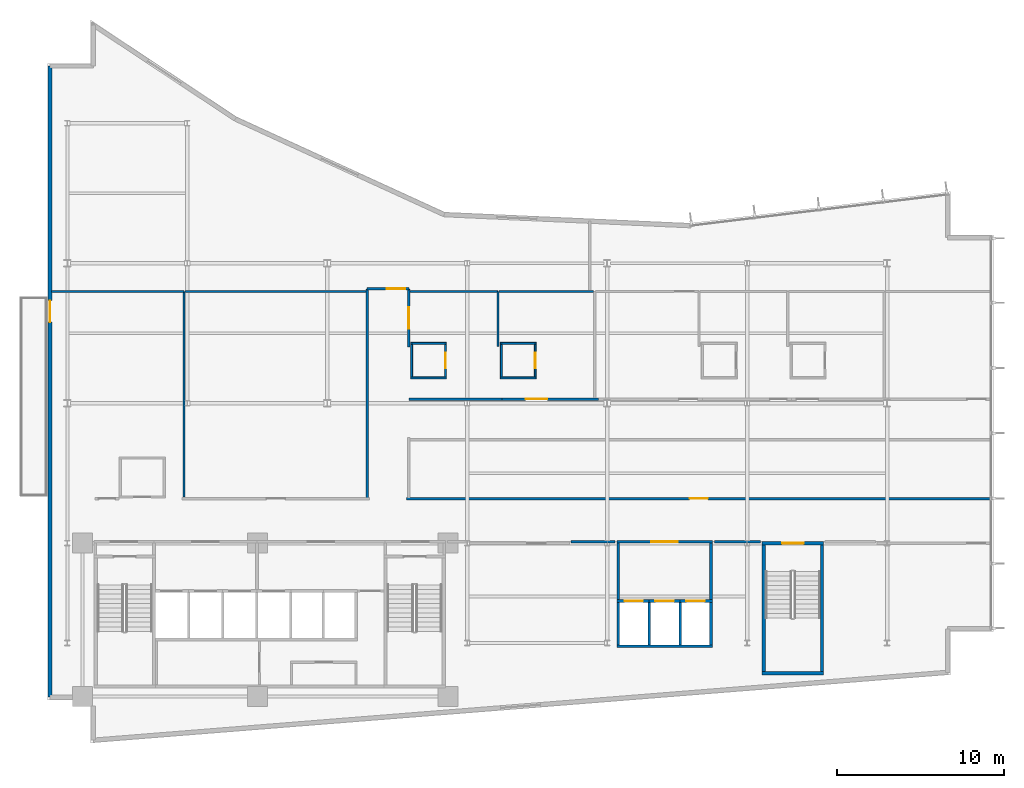
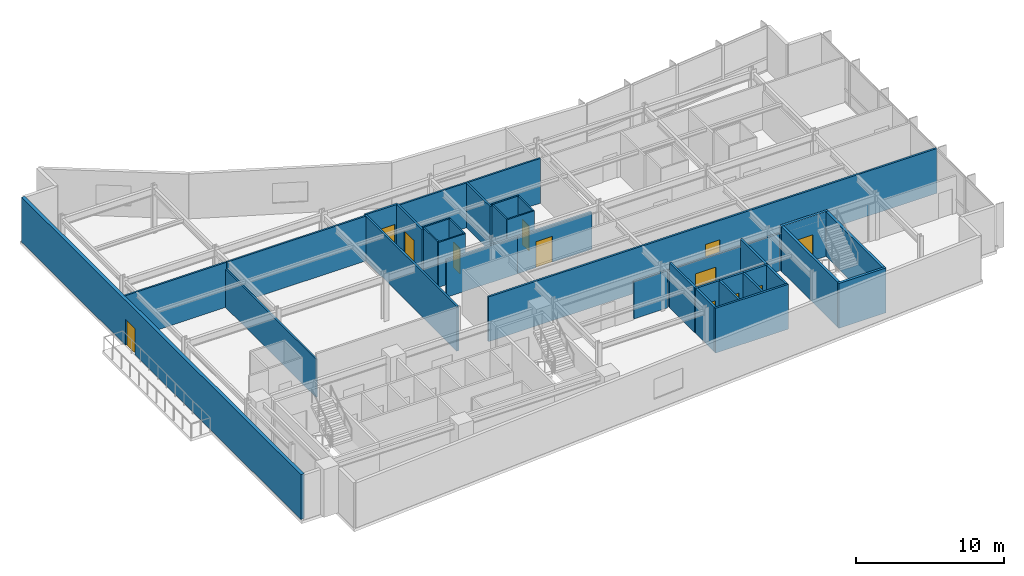
# One storey, part 11 of 17: 38 walls, 12 doors, 12 openings.
"""IFC4 building model written with IfcOpenShell, lengths in metres."""

from ifc_helpers import new_model, si_unit, direction, frame, frame_2d, origin, place, context, subcontext, project, spatial, rectangle, extrude, material, layer, layer_set, type_object, element, fill, save


model = new_model("IFC4")

# Units and contexts
model_context = context("Model", 3, precision=1e-05, world=origin(), true_north=direction((0.0, 1.0)))
body_context = subcontext(model_context, "Body", "Model", "MODEL_VIEW")
ifc_project = project(units=[si_unit("LENGTHUNIT", "METRE"), si_unit("AREAUNIT", "SQUARE_METRE"), si_unit("VOLUMEUNIT", "CUBIC_METRE"), si_unit("PLANEANGLEUNIT", "RADIAN"), si_unit("MASSUNIT", "GRAM", prefix="KILO")], contexts=[model_context])

# Site, building, storey
site_placement = place(None, origin())
site = spatial("IfcSite", under=ifc_project, at=site_placement, CompositionType="ELEMENT")
building_placement = place(site_placement, origin())
building = spatial("IfcBuilding", under=site, at=building_placement, Name="Varnakote Quay Hospital", CompositionType="ELEMENT")
storey_placement = place(building_placement, frame((0.0, 0.0, 146.800048828125)))
storey = spatial("IfcBuildingStorey", under=building, at=storey_placement, Name="L36", CompositionType="ELEMENT", Elevation=146.800048828125)

# Walls
ifc_material_1 = material(Name="Fire-rated acoustic gypsum stud wall", Category="gypsum")
ifc_layer_1 = layer(ifc_material_1, 0.159912109375)
ifc_layer_set_1 = layer_set([ifc_layer_1], Name="Fire-rated acoustic gypsum stud wall")
wall_type_1 = type_object("IfcWallType", Name="WL-COMP-160", PredefinedType="PARTITIONING", material=ifc_layer_set_1)
for number, where, z_axis, x_axis, name in (
    (1, (34.27001953125, 8.610107421875, 0.0), (0.0, 0.0, 1.0), (0.0, 1.0, 0.0), "L36 Mid-Rise Lift Lobby West Wall"),
    (2, (39.830078125, 8.610107421875, 0.0), (0.0, 0.0, 1.0), (0.0, 1.0, 0.0), "L36 Mid-Rise Lift Lobby East Wall"),
):
    element("IfcWall", number, at=place(storey_placement, frame(where, z_axis=z_axis, x_axis=x_axis)), inside=storey, type_object=wall_type_1, Name=name, PredefinedType="PARTITIONING", context=body_context, shape_type="SweptSolid", body=[
        extrude(rectangle(XDim=3.389892578125, YDim=0.159912109375, at=frame_2d((1.69482421875, 0.0))), origin(), (0.0, 0.0, 1.0), 3.7099609375),
    ])

# Wall, opening, door
wall_1_placement = place(storey_placement, frame((34.18994140625, 12.080078125, 0.0), z_axis=(0.0, 0.0, 1.0), x_axis=(1.0, 0.0, 0.0)))
wall_1 = element("IfcWall", 3, at=wall_1_placement, inside=storey, type_object=wall_type_1, Name="L36 Mid-Rise Lift Lobby North Wall", PredefinedType="PARTITIONING", context=body_context, shape_type="SweptSolid", body=[
    extrude(rectangle(XDim=5.719970703125, YDim=0.159912109375, at=frame_2d((2.85986328125, 0.0))), origin(), (0.0, 0.0, 1.0), 3.0830078125),
])
opening_1_placement = place(wall_1_placement, frame((2.06005859375, 0.0, 0.0)))
opening_1 = element("IfcOpeningElement", 4, at=opening_1_placement, cuts=wall_1, Name="Opening D-PML-L36", PredefinedType="OPENING", context=body_context, shape_type="SweptSolid", body=[
    extrude(rectangle(XDim=1.60009765625, YDim=2.050048828125, at=frame_2d((0.800048828125, 1.02490234375))), frame((0.0, 0.08984375, 0.0), z_axis=(0.0, -1.0, 0.0), x_axis=(1.0, 0.0, 0.0)), (0.0, 0.0, 1.0), 0.179931640625),
])
ifc_material_2 = material(Name="Fire-rated double smoke lobby door")
door_type_1 = type_object("IfcDoorType", Name="DR-LOBBY-FD60S-1600x2150", OperationType="NOTDEFINED", PredefinedType="DOOR", material=ifc_material_2)
door_1_placement = place(opening_1_placement, origin())
door_1 = element("IfcDoor", 5, at=door_1_placement, inside=storey, type_object=door_type_1, Name="L36 Mid-Rise Passenger Concourse Vestibule Door", OperationType="DOUBLE_DOOR_SINGLE_SWING", OverallHeight=2.050048828125, OverallWidth=1.60009765625, PredefinedType="DOOR", context=body_context, shape_type="SweptSolid", body=[
    extrude(rectangle(XDim=1.60009765625, YDim=2.050048828125, at=frame_2d((0.800048828125, 1.02490234375))), frame((0.0, 0.02490234375, 0.0), z_axis=(0.0, -1.0, 0.0), x_axis=(1.0, 0.0, 0.0)), (0.0, 0.0, 1.0), 0.050048828125),
])
fill(opening_1, door_1)

# Walls
wall_2_placement = place(storey_placement, frame((31.439208984375, 12.080078125, 0.0), z_axis=(0.0, 0.0, 1.0), x_axis=(1.0, 0.0, 0.0)))
element("IfcWall", 6, at=wall_2_placement, inside=storey, type_object=wall_type_1, Name="L36 Corridor South Gap Wall", PredefinedType="PARTITIONING", context=body_context, shape_type="SweptSolid", body=[
    extrude(rectangle(XDim=2.630859375, YDim=0.159912109375, at=frame_2d((1.3154296875, 0.0))), origin(), (0.0, 0.0, 1.0), 3.0830078125),
])
wall_3_placement = place(storey_placement, frame((40.030029296875, 12.080078125, 0.0), z_axis=(0.0, 0.0, 1.0), x_axis=(1.0, 0.0, 0.0)))
element("IfcWall", 7, at=wall_3_placement, inside=storey, type_object=wall_type_1, Name="L36 Corridor South Gap Wall", PredefinedType="PARTITIONING", context=body_context, shape_type="SweptSolid", body=[
    extrude(rectangle(XDim=2.78076171875, YDim=0.159912109375, at=frame_2d((1.390380859375, 0.0))), origin(), (0.0, 0.0, 1.0), 3.0830078125),
])
ifc_material_3 = material(Name="Moisture-resistant bathroom partition", Category="gypsum")
ifc_layer_2 = layer(ifc_material_3, 0.114990234375)
ifc_layer_set_2 = layer_set([ifc_layer_2], Name="Moisture-resistant bathroom partition")
wall_type_2 = type_object("IfcWallType", Name="WL-ENS-115", PredefinedType="PARTITIONING", material=ifc_layer_set_2)
for number, where, z_axis, x_axis, name in (
    (8, (21.804931640625, 21.922607421875, 0.0), (0.0, 0.0, 1.0), (1.0, 0.0, 0.0), "L36 Inpatient En-Suite Bathroom 01 S Wall"),
    (9, (21.804931640625, 23.987548828125, 0.0), (0.0, 0.0, 1.0), (1.0, 0.0, 0.0), "L36 Inpatient En-Suite Bathroom 01 N Wall"),
):
    element("IfcWall", number, at=place(storey_placement, frame(where, z_axis=z_axis, x_axis=x_axis)), inside=storey, type_object=wall_type_2, Name=name, PredefinedType="PARTITIONING", context=body_context, shape_type="SweptSolid", body=[
        extrude(rectangle(XDim=2.150146484375, YDim=0.114990234375, at=frame_2d((1.0751953125, 0.0))), origin(), (0.0, 0.0, 1.0), 3.7099609375),
    ])
wall_4_placement = place(storey_placement, frame((21.862548828125, 21.97998046875, 0.0), z_axis=(0.0, 0.0, 1.0), x_axis=(0.0, 1.0, 0.0)))
element("IfcWall", 10, at=wall_4_placement, inside=storey, type_object=wall_type_2, Name="L36 Inpatient En-Suite Bathroom 01 W Wall", PredefinedType="PARTITIONING", context=body_context, shape_type="SweptSolid", body=[
    extrude(rectangle(XDim=1.949951171875, YDim=0.114990234375, at=frame_2d((0.97509765625, 0.0))), origin(), (0.0, 0.0, 1.0), 3.7099609375),
])

# Wall, opening, door
wall_5_placement = place(storey_placement, frame((23.8974609375, 21.97998046875, 0.0), z_axis=(0.0, 0.0, 1.0), x_axis=(0.0, 1.0, 0.0)))
wall_5 = element("IfcWall", 11, at=wall_5_placement, inside=storey, type_object=wall_type_2, Name="L36 Inpatient En-Suite Bathroom 01 E Wall", PredefinedType="PARTITIONING", context=body_context, shape_type="SweptSolid", body=[
    extrude(rectangle(XDim=1.949951171875, YDim=0.114990234375, at=frame_2d((0.97509765625, 0.0))), origin(), (0.0, 0.0, 1.0), 3.7099609375),
])
opening_2_placement = place(wall_5_placement, frame((0.514892578125, 0.0, 0.0)))
opening_2 = element("IfcOpeningElement", 12, at=opening_2_placement, cuts=wall_5, Name="Opening D-L36-ENS01", PredefinedType="OPENING", context=body_context, shape_type="SweptSolid", body=[
    extrude(rectangle(XDim=0.919921875, YDim=2.10009765625, at=frame_2d((0.4599609375, 1.050048828125))), frame((0.0, 0.0673828125, 0.0), z_axis=(0.0, -1.0, 0.0), x_axis=(1.0, 0.0, 0.0)), (0.0, 0.0, 1.0), 0.135009765625),
])
ifc_material_4 = material(Name="Moisture-sealed en-suite bathroom door")
door_type_2 = type_object("IfcDoorType", Name="DR-ENS-920x2100", OperationType="NOTDEFINED", PredefinedType="DOOR", material=ifc_material_4)
door_2_placement = place(opening_2_placement, origin())
door_2 = element("IfcDoor", 13, at=door_2_placement, inside=storey, type_object=door_type_2, Name="L36 Inpatient En-Suite Bathroom 01 Door", OperationType="SINGLE_SWING_RIGHT", OverallHeight=2.10009765625, OverallWidth=0.919921875, PredefinedType="DOOR", context=body_context, shape_type="SweptSolid", body=[
    extrude(rectangle(XDim=0.919921875, YDim=2.10009765625, at=frame_2d((0.4599609375, 1.050048828125))), frame((0.0, 0.02490234375, 0.0), z_axis=(0.0, -1.0, 0.0), x_axis=(1.0, 0.0, 0.0)), (0.0, 0.0, 1.0), 0.050048828125),
])
fill(opening_2, door_2)

# Walls
for number, where, z_axis, x_axis, name in (
    (14, (27.195068359375, 21.922607421875, 0.0), (0.0, 0.0, 1.0), (1.0, 0.0, 0.0), "L36 Inpatient En-Suite Bathroom 02 S Wall"),
    (15, (27.195068359375, 23.987548828125, 0.0), (0.0, 0.0, 1.0), (1.0, 0.0, 0.0), "L36 Inpatient En-Suite Bathroom 02 N Wall"),
):
    element("IfcWall", number, at=place(storey_placement, frame(where, z_axis=z_axis, x_axis=x_axis)), inside=storey, type_object=wall_type_2, Name=name, PredefinedType="PARTITIONING", context=body_context, shape_type="SweptSolid", body=[
        extrude(rectangle(XDim=2.14990234375, YDim=0.114990234375, at=frame_2d((1.074951171875, 0.0))), origin(), (0.0, 0.0, 1.0), 3.7099609375),
    ])
wall_6_placement = place(storey_placement, frame((27.25244140625, 21.97998046875, 0.0), z_axis=(0.0, 0.0, 1.0), x_axis=(0.0, 1.0, 0.0)))
element("IfcWall", 16, at=wall_6_placement, inside=storey, type_object=wall_type_2, Name="L36 Inpatient En-Suite Bathroom 02 W Wall", PredefinedType="PARTITIONING", context=body_context, shape_type="SweptSolid", body=[
    extrude(rectangle(XDim=1.949951171875, YDim=0.114990234375, at=frame_2d((0.97509765625, 0.0))), origin(), (0.0, 0.0, 1.0), 3.7099609375),
])

# Wall, opening, door
wall_7_placement = place(storey_placement, frame((29.28759765625, 21.97998046875, 0.0), z_axis=(0.0, 0.0, 1.0), x_axis=(0.0, 1.0, 0.0)))
wall_7 = element("IfcWall", 17, at=wall_7_placement, inside=storey, type_object=wall_type_2, Name="L36 Inpatient En-Suite Bathroom 02 E Wall", PredefinedType="PARTITIONING", context=body_context, shape_type="SweptSolid", body=[
    extrude(rectangle(XDim=1.949951171875, YDim=0.114990234375, at=frame_2d((0.97509765625, 0.0))), origin(), (0.0, 0.0, 1.0), 3.7099609375),
])
opening_3_placement = place(wall_7_placement, frame((0.514892578125, 0.0, 0.0)))
opening_3 = element("IfcOpeningElement", 18, at=opening_3_placement, cuts=wall_7, Name="Opening D-L36-ENS02", PredefinedType="OPENING", context=body_context, shape_type="SweptSolid", body=[
    extrude(rectangle(XDim=0.919921875, YDim=2.10009765625, at=frame_2d((0.4599609375, 1.050048828125))), frame((0.0, 0.0673828125, 0.0), z_axis=(0.0, -1.0, 0.0), x_axis=(1.0, 0.0, 0.0)), (0.0, 0.0, 1.0), 0.135009765625),
])
door_3_placement = place(opening_3_placement, origin())
door_3 = element("IfcDoor", 19, at=door_3_placement, inside=storey, type_object=door_type_2, Name="L36 Inpatient En-Suite Bathroom 02 Door", OperationType="SINGLE_SWING_LEFT", OverallHeight=2.10009765625, OverallWidth=0.919921875, PredefinedType="DOOR", context=body_context, shape_type="SweptSolid", body=[
    extrude(rectangle(XDim=0.919921875, YDim=2.10009765625, at=frame_2d((0.4599609375, 1.050048828125))), frame((0.0, 0.02490234375, 0.0), z_axis=(0.0, -1.0, 0.0), x_axis=(1.0, 0.0, 0.0)), (0.0, 0.0, 1.0), 0.050048828125),
])
fill(opening_3, door_3)

ifc_material_5 = material(Name="Precast concrete N50 (f'c 50 MPa)", Category="concrete")
ifc_layer_3 = layer(ifc_material_5, 0.260009765625)
ifc_layer_set_3 = layer_set([ifc_layer_3], Name="Precast concrete N50 (f'c 50 MPa)")
wall_type_3 = type_object("IfcWallType", Name="WL-EXT-BRICK-260", PredefinedType="STANDARD", material=ifc_layer_set_3)
wall_8_placement = place(storey_placement, frame((0.159912109375, 40.639892578125, 0.0), z_axis=(0.0, 0.0, 1.0), x_axis=(0.0, -1.0, 0.0)))
wall_8 = element("IfcWall", 20, at=wall_8_placement, inside=storey, type_object=wall_type_3, Name="L36 Healing Terrace Portal Brick Wall", PredefinedType="STANDARD", context=body_context, shape_type="SweptSolid", body=[
    extrude(rectangle(XDim=37.8798828125, YDim=0.260009765625, at=frame_2d((18.93994140625, 0.0))), origin(), (0.0, 0.0, 1.0), 3.7099609375),
])
opening_4_placement = place(wall_8_placement, frame((14.0810546875, 0.0, 0.0)))
opening_4 = element("IfcOpeningElement", 21, at=opening_4_placement, cuts=wall_8, Name="Opening DT-L36", PredefinedType="OPENING", context=body_context, shape_type="SweptSolid", body=[
    extrude(rectangle(XDim=1.300048828125, YDim=2.14990234375, at=frame_2d((0.64990234375, 1.074951171875))), frame((0.0, 0.139892578125, 0.0), z_axis=(0.0, -1.0, 0.0), x_axis=(1.0, 0.0, 0.0)), (0.0, 0.0, 1.0), 0.280029296875),
])
ifc_material_6 = material(Name="Anodised aluminium glazed terrace door", Category="aluminium")
door_type_3 = type_object("IfcDoorType", Name="DR-EXT-TERR-1300x2150", OperationType="NOTDEFINED", PredefinedType="DOOR", material=ifc_material_6)
door_4_placement = place(opening_4_placement, origin())
door_4 = element("IfcDoor", 22, at=door_4_placement, inside=storey, type_object=door_type_3, Name="L36 Waterfront Healing Terrace Door", OperationType="SINGLE_SWING_LEFT", OverallHeight=2.14990234375, OverallWidth=1.300048828125, PredefinedType="DOOR", context=body_context, shape_type="SweptSolid", body=[
    extrude(rectangle(XDim=1.300048828125, YDim=2.14990234375, at=frame_2d((0.64990234375, 1.074951171875))), frame((0.0, 0.02490234375, 0.0), z_axis=(0.0, -1.0, 0.0), x_axis=(1.0, 0.0, 0.0)), (0.0, 0.0, 1.0), 0.050048828125),
])
fill(opening_4, door_4)

# Walls
ifc_material_7 = material(Name="Concrete N50 (f'c 50 MPa)", Category="concrete")
ifc_layer_4 = layer(ifc_material_7, 0.14990234375)
ifc_layer_set_4 = layer_set([ifc_layer_4], Name="Concrete N50 (f'c 50 MPa)")
wall_type_4 = type_object("IfcWallType", Name="WL-SHAFT-N50-150", PredefinedType="SHEAR", material=ifc_layer_set_4)
for number, where, z_axis, x_axis, name in (
    (23, (36.125, 5.89990234375, 0.0), (0.0, 0.0, 1.0), (0.0, 1.0, 0.0), "L36 LF-PM1 Hoistway Divider Wall"),
    (24, (37.97509765625, 5.89990234375, 0.0), (0.0, 0.0, 1.0), (0.0, 1.0, 0.0), "L36 LF-PM2 Hoistway Divider Wall"),
):
    element("IfcWall", number, at=place(storey_placement, frame(where, z_axis=z_axis, x_axis=x_axis)), inside=storey, type_object=wall_type_4, Name=name, PredefinedType="SHEAR", context=body_context, shape_type="SweptSolid", body=[
        extrude(rectangle(XDim=2.550048828125, YDim=0.14990234375, at=frame_2d((1.27490234375, 0.0))), origin(), (0.0, 0.0, 1.0), 3.7099609375),
    ])
ifc_material_8 = material(Name="Concrete N50 (f'c 50 MPa)", Category="concrete")
ifc_layer_5 = layer(ifc_material_8, 0.159912109375)
ifc_layer_set_5 = layer_set([ifc_layer_5], Name="Concrete N50 (f'c 50 MPa)")
wall_type_5 = type_object("IfcWallType", Name="WL-SHAFT-N50-160", PredefinedType="SHEAR", material=ifc_layer_set_5)
wall_9_placement = place(storey_placement, frame((34.18994140625, 5.820068359375, 0.0), z_axis=(0.0, 0.0, 1.0), x_axis=(1.0, 0.0, 0.0)))
element("IfcWall", 25, at=wall_9_placement, inside=storey, type_object=wall_type_5, Name="L36 MID Lift Bank Back Shear Wall", PredefinedType="SHEAR", context=body_context, shape_type="SweptSolid", body=[
    extrude(rectangle(XDim=5.719970703125, YDim=0.159912109375, at=frame_2d((2.85986328125, 0.0))), origin(), (0.0, 0.0, 1.0), 3.7099609375),
])
for number, where, z_axis, x_axis, name in (
    (26, (34.27001953125, 5.89990234375, 0.0), (0.0, 0.0, 1.0), (0.0, 1.0, 0.0), "L36 MID Lift Bank West Shear Wall"),
    (27, (39.830078125, 5.89990234375, 0.0), (0.0, 0.0, 1.0), (0.0, 1.0, 0.0), "L36 MID Lift Bank East Shear Wall"),
):
    element("IfcWall", number, at=place(storey_placement, frame(where, z_axis=z_axis, x_axis=x_axis)), inside=storey, type_object=wall_type_5, Name=name, PredefinedType="SHEAR", context=body_context, shape_type="SweptSolid", body=[
        extrude(rectangle(XDim=2.550048828125, YDim=0.159912109375, at=frame_2d((1.27490234375, 0.0))), origin(), (0.0, 0.0, 1.0), 3.7099609375),
    ])

# Wall, opening, door
wall_10_placement = place(storey_placement, frame((34.18994140625, 8.530029296875, 0.0), z_axis=(0.0, 0.0, 1.0), x_axis=(1.0, 0.0, 0.0)))
wall_10 = element("IfcWall", 28, at=wall_10_placement, inside=storey, type_object=wall_type_5, Name="L36 LF-PM1 Hoistway Front Wall", PredefinedType="SHEAR", context=body_context, shape_type="SweptSolid", body=[
    extrude(rectangle(XDim=1.93505859375, YDim=0.159912109375, at=frame_2d((0.967529296875, 0.0))), origin(), (0.0, 0.0, 1.0), 3.7099609375),
])
opening_5_placement = place(wall_10_placement, frame((0.4599609375, 0.0, 0.0)))
opening_5 = element("IfcOpeningElement", 29, at=opening_5_placement, cuts=wall_10, Name="Opening LD-PM1-L36", PredefinedType="OPENING", context=body_context, shape_type="SweptSolid", body=[
    extrude(rectangle(XDim=1.10009765625, YDim=2.14990234375, at=frame_2d((0.550048828125, 1.074951171875))), frame((0.0, 0.08984375, 0.0), z_axis=(0.0, -1.0, 0.0), x_axis=(1.0, 0.0, 0.0)), (0.0, 0.0, 1.0), 0.179931640625),
])
ifc_material_9 = material(Name="Brushed bronze lift landing sliding door")
door_type_4 = type_object("IfcDoorType", Name="DR-LIFT-LD-1100x2150", OperationType="NOTDEFINED", PredefinedType="DOOR", material=ifc_material_9)
door_5_placement = place(opening_5_placement, origin())
door_5 = element("IfcDoor", 30, at=door_5_placement, inside=storey, type_object=door_type_4, Name="L36 LF-PM1 Lift Landing Sliding Door", OperationType="SLIDING_TO_LEFT", OverallHeight=2.14990234375, OverallWidth=1.10009765625, PredefinedType="DOOR", context=body_context, shape_type="SweptSolid", body=[
    extrude(rectangle(XDim=1.10009765625, YDim=2.14990234375, at=frame_2d((0.550048828125, 1.074951171875))), frame((0.0, 0.02490234375, 0.0), z_axis=(0.0, -1.0, 0.0), x_axis=(1.0, 0.0, 0.0)), (0.0, 0.0, 1.0), 0.050048828125),
])
fill(opening_5, door_5)

wall_11_placement = place(storey_placement, frame((36.125, 8.530029296875, 0.0), z_axis=(0.0, 0.0, 1.0), x_axis=(1.0, 0.0, 0.0)))
wall_11 = element("IfcWall", 31, at=wall_11_placement, inside=storey, type_object=wall_type_5, Name="L36 LF-PM2 Hoistway Front Wall", PredefinedType="SHEAR", context=body_context, shape_type="SweptSolid", body=[
    extrude(rectangle(XDim=1.85009765625, YDim=0.159912109375, at=frame_2d((0.925048828125, 0.0))), origin(), (0.0, 0.0, 1.0), 3.7099609375),
])
opening_6_placement = place(wall_11_placement, frame((0.375, 0.0, 0.0)))
opening_6 = element("IfcOpeningElement", 32, at=opening_6_placement, cuts=wall_11, Name="Opening LD-PM2-L36", PredefinedType="OPENING", context=body_context, shape_type="SweptSolid", body=[
    extrude(rectangle(XDim=1.10009765625, YDim=2.14990234375, at=frame_2d((0.550048828125, 1.074951171875))), frame((0.0, 0.08984375, 0.0), z_axis=(0.0, -1.0, 0.0), x_axis=(1.0, 0.0, 0.0)), (0.0, 0.0, 1.0), 0.179931640625),
])
door_6_placement = place(opening_6_placement, origin())
door_6 = element("IfcDoor", 33, at=door_6_placement, inside=storey, type_object=door_type_4, Name="L36 LF-PM2 Lift Landing Sliding Door", OperationType="SLIDING_TO_LEFT", OverallHeight=2.14990234375, OverallWidth=1.10009765625, PredefinedType="DOOR", context=body_context, shape_type="SweptSolid", body=[
    extrude(rectangle(XDim=1.10009765625, YDim=2.14990234375, at=frame_2d((0.550048828125, 1.074951171875))), frame((0.0, 0.02490234375, 0.0), z_axis=(0.0, -1.0, 0.0), x_axis=(1.0, 0.0, 0.0)), (0.0, 0.0, 1.0), 0.050048828125),
])
fill(opening_6, door_6)

wall_12_placement = place(storey_placement, frame((37.97509765625, 8.530029296875, 0.0), z_axis=(0.0, 0.0, 1.0), x_axis=(1.0, 0.0, 0.0)))
wall_12 = element("IfcWall", 34, at=wall_12_placement, inside=storey, type_object=wall_type_5, Name="L36 LF-PM3 Hoistway Front Wall", PredefinedType="SHEAR", context=body_context, shape_type="SweptSolid", body=[
    extrude(rectangle(XDim=1.934814453125, YDim=0.159912109375, at=frame_2d((0.96728515625, 0.0))), origin(), (0.0, 0.0, 1.0), 3.7099609375),
])
opening_7_placement = place(wall_12_placement, frame((0.375, 0.0, 0.0)))
opening_7 = element("IfcOpeningElement", 35, at=opening_7_placement, cuts=wall_12, Name="Opening LD-PM3-L36", PredefinedType="OPENING", context=body_context, shape_type="SweptSolid", body=[
    extrude(rectangle(XDim=1.10009765625, YDim=2.14990234375, at=frame_2d((0.550048828125, 1.074951171875))), frame((0.0, 0.08984375, 0.0), z_axis=(0.0, -1.0, 0.0), x_axis=(1.0, 0.0, 0.0)), (0.0, 0.0, 1.0), 0.179931640625),
])
door_7_placement = place(opening_7_placement, origin())
door_7 = element("IfcDoor", 36, at=door_7_placement, inside=storey, type_object=door_type_4, Name="L36 LF-PM3 Lift Landing Sliding Door", OperationType="SLIDING_TO_LEFT", OverallHeight=2.14990234375, OverallWidth=1.10009765625, PredefinedType="DOOR", context=body_context, shape_type="SweptSolid", body=[
    extrude(rectangle(XDim=1.10009765625, YDim=2.14990234375, at=frame_2d((0.550048828125, 1.074951171875))), frame((0.0, 0.02490234375, 0.0), z_axis=(0.0, -1.0, 0.0), x_axis=(1.0, 0.0, 0.0)), (0.0, 0.0, 1.0), 0.050048828125),
])
fill(opening_7, door_7)

# Walls
ifc_material_10 = material(Name="Concrete N50 (f'c 50 MPa)", Category="concrete")
ifc_layer_6 = layer(ifc_material_10, 0.199951171875)
ifc_layer_set_6 = layer_set([ifc_layer_6], Name="Concrete N50 (f'c 50 MPa)")
wall_type_6 = type_object("IfcWallType", Name="WL-SHAFT-N50-200", PredefinedType="SHEAR", material=ifc_layer_set_6)
wall_13_placement = place(storey_placement, frame((42.89990234375, 4.199951171875, 0.0), z_axis=(0.0, 0.0, 1.0), x_axis=(1.0, 0.0, 0.0)))
element("IfcWall", 37, at=wall_13_placement, inside=storey, type_object=wall_type_6, Name="L36 Stair ST3 South Shaft Wall", PredefinedType="SHEAR", context=body_context, shape_type="SweptSolid", body=[
    extrude(rectangle(XDim=3.7001953125, YDim=0.199951171875, at=frame_2d((1.85009765625, 0.0))), origin(), (0.0, 0.0, 1.0), 3.7099609375),
])
for number, where, z_axis, x_axis, name in (
    (38, (43.0, 4.300048828125, 0.0), (0.0, 0.0, 1.0), (0.0, 1.0, 0.0), "L36 Stair ST3 West Shaft Wall"),
    (39, (46.5, 4.300048828125, 0.0), (0.0, 0.0, 1.0), (0.0, 1.0, 0.0), "L36 Stair ST3 East Shaft Wall"),
):
    element("IfcWall", number, at=place(storey_placement, frame(where, z_axis=z_axis, x_axis=x_axis)), inside=storey, type_object=wall_type_6, Name=name, PredefinedType="SHEAR", context=body_context, shape_type="SweptSolid", body=[
        extrude(rectangle(XDim=7.599853515625, YDim=0.199951171875, at=frame_2d((3.7998046875, 0.0))), origin(), (0.0, 0.0, 1.0), 3.7099609375),
    ])

# Wall, opening, door
wall_14_placement = place(storey_placement, frame((42.89990234375, 12.0, 0.0), z_axis=(0.0, 0.0, 1.0), x_axis=(1.0, 0.0, 0.0)))
wall_14 = element("IfcWall", 40, at=wall_14_placement, inside=storey, type_object=wall_type_6, Name="L36 Stair ST3 Exit Wall", PredefinedType="SHEAR", context=body_context, shape_type="SweptSolid", body=[
    extrude(rectangle(XDim=3.7001953125, YDim=0.199951171875, at=frame_2d((1.85009765625, 0.0))), origin(), (0.0, 0.0, 1.0), 3.7099609375),
])
opening_8_placement = place(wall_14_placement, frame((1.199951171875, 0.0, 0.0)))
opening_8 = element("IfcOpeningElement", 41, at=opening_8_placement, cuts=wall_14, Name="Opening D-ST3-L36", PredefinedType="OPENING", context=body_context, shape_type="SweptSolid", body=[
    extrude(rectangle(XDim=1.300048828125, YDim=2.14990234375, at=frame_2d((0.64990234375, 1.074951171875))), frame((0.0, 0.10986328125, 0.0), z_axis=(0.0, -1.0, 0.0), x_axis=(1.0, 0.0, 0.0)), (0.0, 0.0, 1.0), 0.219970703125),
])
ifc_material_11 = material(Name="Fire-rated ceramic-glazed timber exit door", Category="wood")
door_type_5 = type_object("IfcDoorType", Name="DR-STAIR-FD60S-1300x2150", OperationType="NOTDEFINED", PredefinedType="DOOR", material=ifc_material_11)
door_8_placement = place(opening_8_placement, origin())
door_8 = element("IfcDoor", 42, at=door_8_placement, inside=storey, type_object=door_type_5, Name="L36 Stair ST3 Fire Exit Door", OperationType="SINGLE_SWING_LEFT", OverallHeight=2.14990234375, OverallWidth=1.300048828125, PredefinedType="DOOR", context=body_context, shape_type="SweptSolid", body=[
    extrude(rectangle(XDim=1.300048828125, YDim=2.14990234375, at=frame_2d((0.64990234375, 1.074951171875))), frame((0.0, 0.02490234375, 0.0), z_axis=(0.0, -1.0, 0.0), x_axis=(1.0, 0.0, 0.0)), (0.0, 0.0, 1.0), 0.050048828125),
])
fill(opening_8, door_8)

# Walls
ifc_material_12 = material(Name="Smoke-proof clinical partition", Category="gypsum")
ifc_layer_7 = layer(ifc_material_12, 0.135009765625)
ifc_layer_set_7 = layer_set([ifc_layer_7], Name="Smoke-proof clinical partition")
wall_type_7 = type_object("IfcWallType", Name="WL-SMOKE-135", PredefinedType="PARTITIONING", material=ifc_layer_set_7)
wall_15_placement = place(storey_placement, frame((8.199951171875, 14.760009765625, 0.0), z_axis=(0.0, 0.0, 1.0), x_axis=(0.0, 1.0, 0.0)))
element("IfcWall", 43, at=wall_15_placement, inside=storey, type_object=wall_type_7, Name="L36 Clinical Interior Partition", PredefinedType="PARTITIONING", context=body_context, shape_type="SweptSolid", body=[
    extrude(rectangle(XDim=12.340087890625, YDim=0.135009765625, at=frame_2d((6.169921875, 0.0))), origin(), (0.0, 0.0, 1.0), 3.15185546875),
])
wall_16_placement = place(storey_placement, frame((8.199951171875, 27.10009765625, 0.0), z_axis=(0.0, 0.0, 1.0), x_axis=(-1.0, 0.0, 0.0)))
element("IfcWall", 44, at=wall_16_placement, inside=storey, type_object=wall_type_7, Name="L36 Clinical Interior Partition", PredefinedType="PARTITIONING", context=body_context, shape_type="SweptSolid", body=[
    extrude(rectangle(XDim=7.9599609375, YDim=0.135009765625, at=frame_2d((3.97998046875, 0.0))), origin(), (0.0, 0.0, 1.0), 3.7099609375),
])
wall_17_placement = place(storey_placement, frame((19.1201171875, 27.10009765625, 0.0), z_axis=(0.0, 0.0, 1.0), x_axis=(-1.0, 0.0, 0.0)))
element("IfcWall", 45, at=wall_17_placement, inside=storey, type_object=wall_type_7, Name="L36 Clinical Interior Partition", PredefinedType="PARTITIONING", context=body_context, shape_type="SweptSolid", body=[
    extrude(rectangle(XDim=10.862548828125, YDim=0.135009765625, at=frame_2d((5.43115234375, 0.0))), origin(), (0.0, 0.0, 1.0), 3.7099609375),
])
wall_18_placement = place(storey_placement, frame((27.050048828125, 23.802490234375, 0.0), z_axis=(0.0, 0.0, 1.0), x_axis=(0.0, 1.0, 0.0)))
element("IfcWall", 46, at=wall_18_placement, inside=storey, type_object=wall_type_7, Name="L36 Clinical Interior Partition", PredefinedType="PARTITIONING", context=body_context, shape_type="SweptSolid", body=[
    extrude(rectangle(XDim=3.297607421875, YDim=0.135009765625, at=frame_2d((1.64892578125, 0.0))), origin(), (0.0, 0.0, 1.0), 3.7099609375),
])
wall_19_placement = place(storey_placement, frame((27.050048828125, 27.10009765625, 0.0), z_axis=(0.0, 0.0, 1.0), x_axis=(-1.0, 0.0, 0.0)))
element("IfcWall", 47, at=wall_19_placement, inside=storey, type_object=wall_type_7, Name="L36 Clinical Interior Partition", PredefinedType="PARTITIONING", context=body_context, shape_type="SweptSolid", body=[
    extrude(rectangle(XDim=5.28515625, YDim=0.135009765625, at=frame_2d((2.642578125, 0.0))), origin(), (0.0, 0.0, 1.0), 3.7099609375),
])
wall_20_placement = place(storey_placement, frame((32.79248046875, 27.10009765625, 0.0), z_axis=(0.0, 0.0, 1.0), x_axis=(-1.0, 0.0, 0.0)))
element("IfcWall", 48, at=wall_20_placement, inside=storey, type_object=wall_type_7, Name="L36 Clinical Interior Partition", PredefinedType="PARTITIONING", context=body_context, shape_type="SweptSolid", body=[
    extrude(rectangle(XDim=5.68505859375, YDim=0.135009765625, at=frame_2d((2.842529296875, 0.0))), origin(), (0.0, 0.0, 1.0), 3.7099609375),
])

# Wall, opening, door
ifc_material_13 = material(Name="Fire-rated clinical gypsum partition", Category="gypsum")
ifc_layer_8 = layer(ifc_material_13, 0.14990234375)
ifc_layer_set_8 = layer_set([ifc_layer_8], Name="Fire-rated clinical gypsum partition")
wall_type_8 = type_object("IfcWallType", Name="WL-WARD-150", PredefinedType="PARTITIONING", material=ifc_layer_set_8)
wall_21_placement = place(storey_placement, frame((56.639892578125, 14.679931640625, 0.0), z_axis=(0.0, 0.0, 1.0), x_axis=(-1.0, 0.0, 0.0)))
wall_21 = element("IfcWall", 49, at=wall_21_placement, inside=storey, type_object=wall_type_8, Name="L36 Clinical Interior Partition", PredefinedType="PARTITIONING", context=body_context, shape_type="SweptSolid", body=[
    extrude(rectangle(XDim=35.0859375, YDim=0.14990234375, at=frame_2d((17.54296875, 0.0))), origin(), (0.0, 0.0, 1.0), 3.7099609375),
])
opening_9_placement = place(wall_21_placement, frame((16.992919921875, 0.0, 0.0)))
opening_9 = element("IfcOpeningElement", 50, at=opening_9_placement, cuts=wall_21, Name="Opening D-L36-MD02", PredefinedType="OPENING", context=body_context, shape_type="SweptSolid", body=[
    extrude(rectangle(XDim=1.10009765625, YDim=2.10009765625, at=frame_2d((0.550048828125, 1.050048828125))), frame((0.0, 0.0849609375, 0.0), z_axis=(0.0, -1.0, 0.0), x_axis=(1.0, 0.0, 0.0)), (0.0, 0.0, 1.0), 0.169921875),
])
ifc_material_14 = material(Name="Acoustic timber clinical consult door", Category="wood")
door_type_6 = type_object("IfcDoorType", Name="DR-CLIN-FD30S-1100x2100", OperationType="NOTDEFINED", PredefinedType="DOOR", material=ifc_material_14)
door_9_placement = place(opening_9_placement, origin())
door_9 = element("IfcDoor", 51, at=door_9_placement, inside=storey, type_object=door_type_6, Name="L36 Paediatric Acute Treatment Suite Door", OperationType="SINGLE_SWING_RIGHT", OverallHeight=2.10009765625, OverallWidth=1.10009765625, PredefinedType="DOOR", context=body_context, shape_type="SweptSolid", body=[
    extrude(rectangle(XDim=1.10009765625, YDim=2.10009765625, at=frame_2d((0.550048828125, 1.050048828125))), frame((0.0, 0.02490234375, 0.0), z_axis=(0.0, -1.0, 0.0), x_axis=(1.0, 0.0, 0.0)), (0.0, 0.0, 1.0), 0.050048828125),
])
fill(opening_9, door_9)

# Wall
wall_22_placement = place(storey_placement, frame((19.199951171875, 27.260009765625, 0.0), z_axis=(0.0, 0.0, 1.0), x_axis=(0.0, -1.0, 0.0)))
element("IfcWall", 52, at=wall_22_placement, inside=storey, type_object=wall_type_8, Name="L36 Clinical Interior Partition", PredefinedType="PARTITIONING", context=body_context, shape_type="SweptSolid", body=[
    extrude(rectangle(XDim=12.56005859375, YDim=0.14990234375, at=frame_2d((6.280029296875, 0.0))), origin(), (0.0, 0.0, 1.0), 3.7099609375),
])

# Wall, opening, door
wall_23_placement = place(storey_placement, frame((21.699951171875, 23.783935546875, 0.0), z_axis=(0.0, 0.0, 1.0), x_axis=(0.0, 1.0, 0.0)))
wall_23 = element("IfcWall", 53, at=wall_23_placement, inside=storey, type_object=wall_type_8, Name="L36 Clinical Interior Partition", PredefinedType="PARTITIONING", context=body_context, shape_type="SweptSolid", body=[
    extrude(rectangle(XDim=3.47607421875, YDim=0.14990234375, at=frame_2d((1.738037109375, 0.0))), origin(), (0.0, 0.0, 1.0), 3.7099609375),
])
opening_10_placement = place(wall_23_placement, frame((1.087890625, 0.0, 0.0)))
opening_10 = element("IfcOpeningElement", 54, at=opening_10_placement, cuts=wall_23, Name="Opening D-L36-BR01", PredefinedType="OPENING", context=body_context, shape_type="SweptSolid", body=[
    extrude(rectangle(XDim=1.300048828125, YDim=2.14990234375, at=frame_2d((0.64990234375, 1.074951171875))), frame((0.0, 0.0849609375, 0.0), z_axis=(0.0, -1.0, 0.0), x_axis=(1.0, 0.0, 0.0)), (0.0, 0.0, 1.0), 0.169921875),
])
ifc_material_15 = material(Name="Solid-core timber clinical bed door", Category="wood")
door_type_7 = type_object("IfcDoorType", Name="DR-WARD-FD30S-1300x2150", OperationType="NOTDEFINED", PredefinedType="DOOR", material=ifc_material_15)
door_10_placement = place(opening_10_placement, origin())
door_10 = element("IfcDoor", 55, at=door_10_placement, inside=storey, type_object=door_type_7, Name="L36 Resident Care Bedroom 01 Door", OperationType="SINGLE_SWING_LEFT", OverallHeight=2.14990234375, OverallWidth=1.300048828125, PredefinedType="DOOR", context=body_context, shape_type="SweptSolid", body=[
    extrude(rectangle(XDim=1.300048828125, YDim=2.14990234375, at=frame_2d((0.64990234375, 1.074951171875))), frame((0.0, 0.02490234375, 0.0), z_axis=(0.0, -1.0, 0.0), x_axis=(1.0, 0.0, 0.0)), (0.0, 0.0, 1.0), 0.050048828125),
])
fill(opening_10, door_10)

wall_24_placement = place(storey_placement, frame((21.699951171875, 27.260009765625, 0.0), z_axis=(0.0, 0.0, 1.0), x_axis=(-1.0, 0.0, 0.0)))
wall_24 = element("IfcWall", 56, at=wall_24_placement, inside=storey, type_object=wall_type_8, Name="L36 Clinical Interior Partition", PredefinedType="PARTITIONING", context=body_context, shape_type="SweptSolid", body=[
    extrude(rectangle(XDim=2.5, YDim=0.14990234375, at=frame_2d((1.25, 0.0))), origin(), (0.0, 0.0, 1.0), 3.7099609375),
])
opening_11_placement = place(wall_24_placement, frame((0.22509765625, 0.0, 0.0)))
opening_11 = element("IfcOpeningElement", 57, at=opening_11_placement, cuts=wall_24, Name="Opening D-L36-MD05", PredefinedType="OPENING", context=body_context, shape_type="SweptSolid", body=[
    extrude(rectangle(XDim=1.10009765625, YDim=2.10009765625, at=frame_2d((0.550048828125, 1.050048828125))), frame((0.0, 0.0849609375, 0.0), z_axis=(0.0, -1.0, 0.0), x_axis=(1.0, 0.0, 0.0)), (0.0, 0.0, 1.0), 0.169921875),
])
door_11_placement = place(opening_11_placement, origin())
door_11 = element("IfcDoor", 58, at=door_11_placement, inside=storey, type_object=door_type_6, Name="L36 Multidisciplinary Clinical Consultation Suite Door", OperationType="SINGLE_SWING_RIGHT", OverallHeight=2.10009765625, OverallWidth=1.10009765625, PredefinedType="DOOR", context=body_context, shape_type="SweptSolid", body=[
    extrude(rectangle(XDim=1.10009765625, YDim=2.10009765625, at=frame_2d((0.550048828125, 1.050048828125))), frame((0.0, 0.02490234375, 0.0), z_axis=(0.0, -1.0, 0.0), x_axis=(1.0, 0.0, 0.0)), (0.0, 0.0, 1.0), 0.050048828125),
])
fill(opening_11, door_11)

# Wall
wall_25_placement = place(storey_placement, frame((27.27587890625, 20.64990234375, 0.0), z_axis=(0.0, 0.0, 1.0), x_axis=(-1.0, 0.0, 0.0)))
element("IfcWall", 59, at=wall_25_placement, inside=storey, type_object=wall_type_8, Name="L36 Clinical Interior Partition", PredefinedType="PARTITIONING", context=body_context, shape_type="SweptSolid", body=[
    extrude(rectangle(XDim=5.555908203125, YDim=0.14990234375, at=frame_2d((2.77783203125, 0.0))), origin(), (0.0, 0.0, 1.0), 3.0830078125),
])

# Wall, opening, door
wall_26_placement = place(storey_placement, frame((33.075927734375, 20.64990234375, 0.0), z_axis=(0.0, 0.0, 1.0), x_axis=(-1.0, 0.0, 0.0)))
wall_26 = element("IfcWall", 60, at=wall_26_placement, inside=storey, type_object=wall_type_8, Name="L36 Clinical Interior Partition", PredefinedType="PARTITIONING", context=body_context, shape_type="SweptSolid", body=[
    extrude(rectangle(XDim=5.7978515625, YDim=0.14990234375, at=frame_2d((2.89892578125, 0.0))), origin(), (0.0, 0.0, 1.0), 3.0830078125),
])
opening_12_placement = place(wall_26_placement, frame((3.068603515625, 0.0, 0.0)))
opening_12 = element("IfcOpeningElement", 61, at=opening_12_placement, cuts=wall_26, Name="Opening D-L36-BR02", PredefinedType="OPENING", context=body_context, shape_type="SweptSolid", body=[
    extrude(rectangle(XDim=1.300048828125, YDim=2.14990234375, at=frame_2d((0.64990234375, 1.074951171875))), frame((0.0, 0.0849609375, 0.0), z_axis=(0.0, -1.0, 0.0), x_axis=(1.0, 0.0, 0.0)), (0.0, 0.0, 1.0), 0.169921875),
])
door_12_placement = place(opening_12_placement, origin())
door_12 = element("IfcDoor", 62, at=door_12_placement, inside=storey, type_object=door_type_7, Name="L36 Resident Care Bedroom 02 Door", OperationType="SINGLE_SWING_LEFT", OverallHeight=2.14990234375, OverallWidth=1.300048828125, PredefinedType="DOOR", context=body_context, shape_type="SweptSolid", body=[
    extrude(rectangle(XDim=1.300048828125, YDim=2.14990234375, at=frame_2d((0.64990234375, 1.074951171875))), frame((0.0, 0.02490234375, 0.0), z_axis=(0.0, -1.0, 0.0), x_axis=(1.0, 0.0, 0.0)), (0.0, 0.0, 1.0), 0.050048828125),
])
fill(opening_12, door_12)

save(model, "model.ifc")
